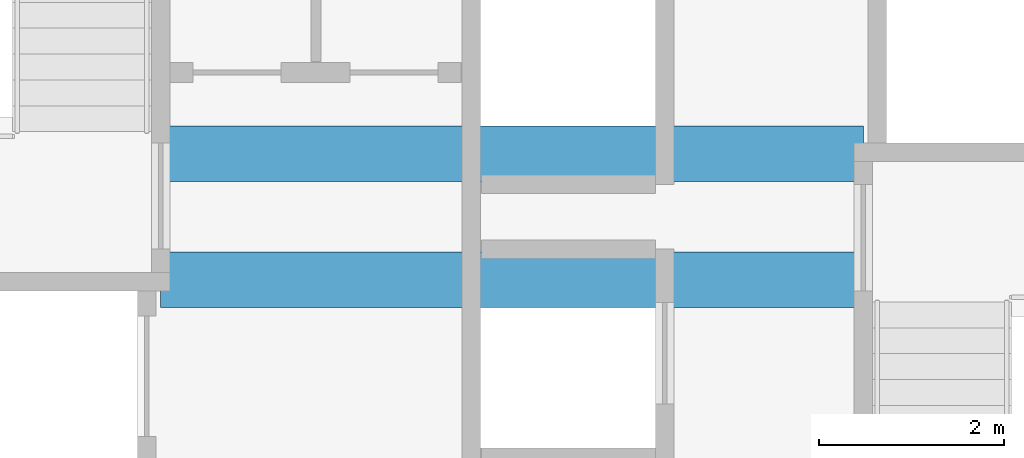
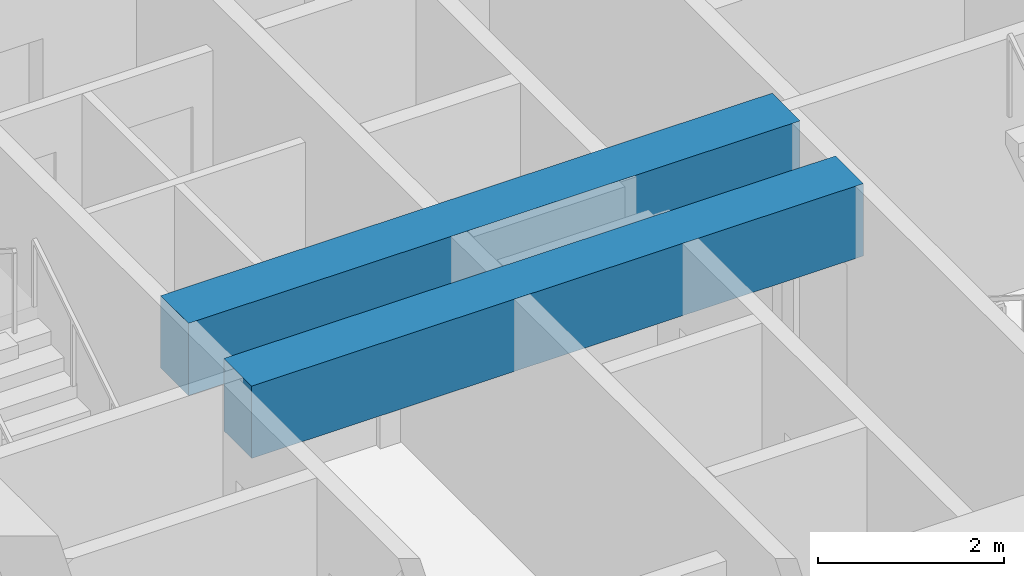
# One storey, part 8 of 46: 2 beams.
"""IFC4 building model written with IfcOpenShell, lengths in metres."""

from ifc_helpers import new_model, si_unit, direction, frame, origin, origin_2d, place, context, subcontext, project, spatial, rectangle, extrude, material, material_profile, profile_set, type_object, element, save


model = new_model("IFC4")

# Units and contexts
model_context = context("Model", 3, precision=1e-05, world=origin(), true_north=direction((0.0, 1.0)))
body_context = subcontext(model_context, "Body", "Model", "MODEL_VIEW")
ifc_project = project(units=[si_unit("LENGTHUNIT", "METRE"), si_unit("AREAUNIT", "SQUARE_METRE"), si_unit("VOLUMEUNIT", "CUBIC_METRE"), si_unit("PLANEANGLEUNIT", "RADIAN"), si_unit("MASSUNIT", "GRAM", prefix="KILO")], contexts=[model_context])

# Site, building, storey
site_placement = place(None, origin())
site = spatial("IfcSite", under=ifc_project, at=site_placement, CompositionType="ELEMENT")
building_placement = place(site_placement, origin())
building = spatial("IfcBuilding", under=site, at=building_placement, Name="Tashvorn Skyway Center", CompositionType="ELEMENT")
storey_placement = place(building_placement, frame((0.0, 0.0, 31.699951171875)))
storey = spatial("IfcBuildingStorey", under=building, at=storey_placement, Name="L07", CompositionType="ELEMENT", Elevation=31.699951171875)

# Beams
ifc_material = material(Name="Concrete C60/75", Category="concrete")
ifc_material_profile = material_profile(ifc_material, rectangle(XDim=0.60009765625, YDim=0.949951171875, at=origin_2d()), Name="RCB600x950")
ifc_profile_set = profile_set([ifc_material_profile], Name="Concrete C60/75")
beam_type = type_object("IfcBeamType", Name="BM-LINTEL-RCB600x950", PredefinedType="LINTEL", material=ifc_profile_set)
for number, where, z_axis, x_axis, name in (
    (1, (38.199951171875, 32.679931640625, 2.875), (1.0, 0.0, 0.0), (0.0, 1.0, 0.0), "Tower 1 L07 Core Coupling Beam CN"),
    (2, (38.199951171875, 31.320068359375, 2.875), (1.0, 0.0, 0.0), (0.0, 1.0, 0.0), "Tower 1 L07 Core Coupling Beam CS"),
):
    element("IfcBeam", number, at=place(storey_placement, frame(where, z_axis=z_axis, x_axis=x_axis)), inside=storey, type_object=beam_type, Name=name, PredefinedType="LINTEL", context=body_context, shape_type="SweptSolid", body=[
        extrude(rectangle(XDim=0.60009765625, YDim=0.949951171875, at=origin_2d()), origin(), (0.0, 0.0, 1.0), 7.60009765625),
    ])

save(model, "model.ifc")
